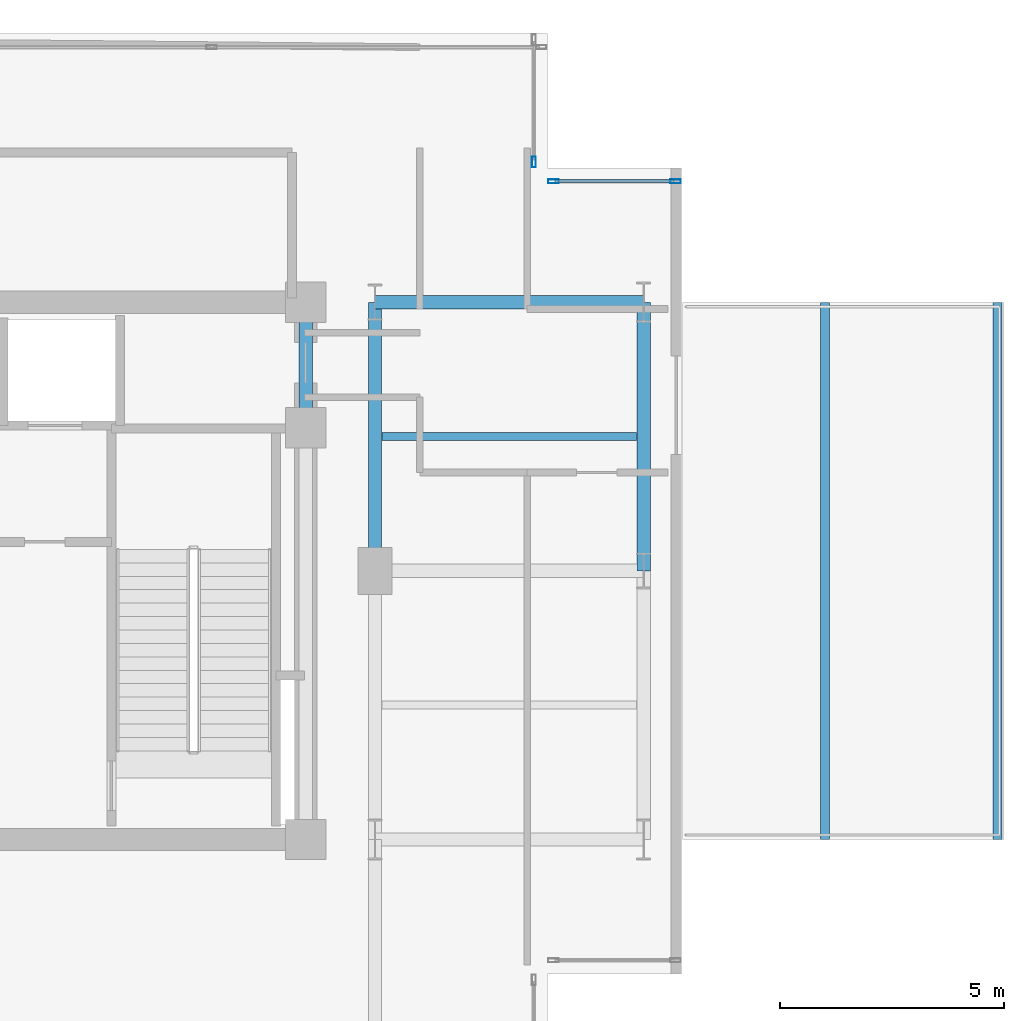
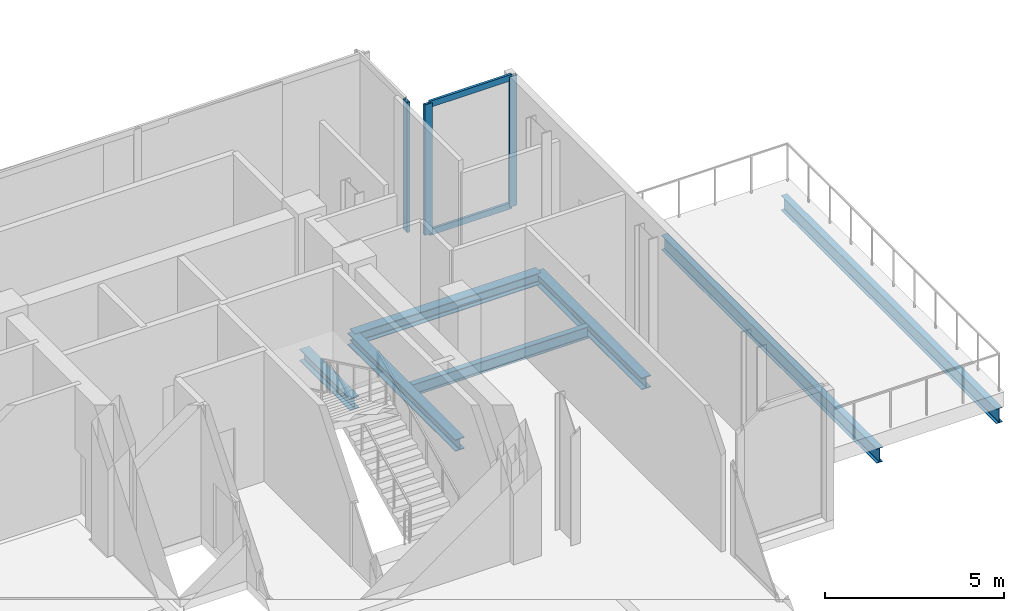
# One storey, part 9 of 19: 7 beams, 5 members, 2 elements without a shape of their own.
"""IFC4 building model written with IfcOpenShell, lengths in metres."""

from ifc_helpers import new_model, si_unit, direction, frame, origin, origin_2d, place, context, subcontext, project, spatial, hollow_rectangle, i_section, extrude, material, layer, layer_set, material_profile, profile_set, type_object, element, aggregate, save


model = new_model("IFC4")

# Units and contexts
model_context = context("Model", 3, precision=1e-05, world=origin(), true_north=direction((0.0, 1.0)))
body_context = subcontext(model_context, "Body", "Model", "MODEL_VIEW")
ifc_project = project(units=[si_unit("LENGTHUNIT", "METRE"), si_unit("AREAUNIT", "SQUARE_METRE"), si_unit("VOLUMEUNIT", "CUBIC_METRE"), si_unit("PLANEANGLEUNIT", "RADIAN"), si_unit("MASSUNIT", "GRAM", prefix="KILO"), si_unit("THERMODYNAMICTEMPERATUREUNIT", "KELVIN"), si_unit("POWERUNIT", "WATT")], contexts=[model_context])

# Site, building, storey
site_placement = place(None, origin())
site = spatial("IfcSite", under=ifc_project, at=site_placement, CompositionType="ELEMENT")
building_placement = place(site_placement, origin())
building = spatial("IfcBuilding", under=site, at=building_placement, Name="Svarakhadi Broadcast Tower", CompositionType="ELEMENT")
storey_placement = place(building_placement, frame((0.0, 0.0, 204.0)))
storey = spatial("IfcBuildingStorey", under=building, at=storey_placement, Name="L50", CompositionType="ELEMENT", Elevation=204.0)

# Beams
ifc_material_1 = material(Name="Steel S355J2 (IS 2062 E350C)", Category="steel")
ifc_material_profile_1 = material_profile(ifc_material_1, i_section(OverallWidth=0.179931640625, OverallDepth=0.39990234375, WebThickness=0.008544921875, FlangeThickness=0.013427734375, FilletRadius=0.02099609375, at=origin_2d()), Name="NPB 400x180x66")
ifc_profile_set_1 = profile_set([ifc_material_profile_1], Name="Steel S355J2 (IS 2062 E350C)")
beam_type_1 = type_object("IfcBeamType", Name="Beam_NPB400", PredefinedType="BEAM", material=ifc_profile_set_1)
beam_1_placement = place(storey_placement, frame((35.31005859375, 15.0, -0.5), z_axis=(1.0, 0.0, 0.0), x_axis=(0.0, 1.0, 0.0)))
element("IfcBeam", 1, at=beam_1_placement, inside=storey, type_object=beam_type_1, Name="L50 Secondary Composite Beam SB017", PredefinedType="BEAM", context=body_context, shape_type="SweptSolid", body=[
    extrude(i_section(OverallWidth=0.179931640625, OverallDepth=0.39990234375, WebThickness=0.008544921875, FlangeThickness=0.013427734375, FilletRadius=0.02099609375, at=origin_2d()), origin(), (0.0, 0.0, 1.0), 5.679931640625),
])
ifc_material_profile_2 = material_profile(ifc_material_1, i_section(OverallWidth=0.199951171875, OverallDepth=0.5, WebThickness=0.01025390625, FlangeThickness=0.01611328125, FilletRadius=0.02099609375, at=origin_2d()), Name="NPB 500x200x91")
ifc_profile_set_2 = profile_set([ifc_material_profile_2], Name="Steel S355J2 (IS 2062 E350C)")
beam_type_2 = type_object("IfcBeamType", Name="Beam_NPB500", PredefinedType="BEAM", material=ifc_profile_set_2)
for number, where, z_axis, x_axis, name in (
    (2, (45.199951171875, 6.0, -0.75), (0.0, 1.0, 0.0), (-1.0, 0.0, 0.0), "L50 Sky Pool Transverse Trimmer Beam 1"),
    (3, (49.050048828125, 6.0, -0.75), (0.0, 1.0, 0.0), (-1.0, 0.0, 0.0), "L50 Sky Pool Tip Transverse Edge Beam 2"),
):
    element("IfcBeam", number, at=place(storey_placement, frame(where, z_axis=z_axis, x_axis=x_axis)), inside=storey, type_object=beam_type_2, Name=name, PredefinedType="BEAM", context=body_context, shape_type="SweptSolid", body=[
        extrude(i_section(OverallWidth=0.199951171875, OverallDepth=0.5, WebThickness=0.01025390625, FlangeThickness=0.01611328125, FilletRadius=0.02099609375, at=origin_2d()), origin(), (0.0, 0.0, 1.0), 12.0),
    ])

# Curtain wall, member
ifc_material_2 = material(Name="Anodised Bronze Aluminium AA 6063-T6", Category="aluminium")
ifc_layer = layer(ifc_material_2, 0.239990234375)
ifc_layer_set = layer_set([ifc_layer], Name="Anodised Bronze Aluminium AA 6063-T6")
curtain_wall_type = type_object("IfcCurtainWallType", Name="CW_Sys_06", PredefinedType="NOTDEFINED", material=ifc_layer_set)
curtain_wall_1_placement = place(storey_placement, origin())
curtain_wall_1 = element("IfcCurtainWall", 4, at=curtain_wall_1_placement, inside=storey, type_object=curtain_wall_type, Name="L50 Unitised Facade Curtain Wall 10", PredefinedType="NOTDEFINED")
ifc_material_profile_3 = material_profile(ifc_material_2, hollow_rectangle(XDim=0.090087890625, YDim=0.239990234375, WallThickness=0.006103515625, at=origin_2d()), Name="ALU MULLION 240x90x6")
ifc_profile_set_3 = profile_set([ifc_material_profile_3], Name="Anodised Bronze Aluminium AA 6063-T6")
member_type_1 = type_object("IfcMemberType", Name="CW_Sys_06_Mul", PredefinedType="MULLION", material=ifc_profile_set_3)
member_1_placement = place(storey_placement, frame((38.699951171875, 21.135009765625, 0.0), z_axis=(0.0, 0.0, 1.0), x_axis=(1.0, 0.0, 0.0)))
member_1 = element("IfcMember", 5, at=member_1_placement, type_object=member_type_1, Name="CW-06 mullion 2", PredefinedType="MULLION", context=body_context, shape_type="SweptSolid", body=[
    extrude(hollow_rectangle(XDim=0.090087890625, YDim=0.239990234375, WallThickness=0.006103515625, at=origin_2d()), origin(), (0.0, 0.0, 1.0), 4.43994140625),
])
aggregate(curtain_wall_1, [member_1])

# Curtain wall, members
curtain_wall_2_placement = place(storey_placement, origin())
curtain_wall_2 = element("IfcCurtainWall", 6, at=curtain_wall_2_placement, inside=storey, type_object=curtain_wall_type, Name="L50 Unitised Facade Curtain Wall 11", PredefinedType="NOTDEFINED")
member_2_placement = place(storey_placement, frame((39.135009765625, 20.699951171875, 0.0), z_axis=(0.0, 0.0, 1.0), x_axis=(0.0, 1.0, 0.0)))
member_2 = element("IfcMember", 7, at=member_2_placement, type_object=member_type_1, Name="CW-06 mullion 1", PredefinedType="MULLION", context=body_context, shape_type="SweptSolid", body=[
    extrude(hollow_rectangle(XDim=0.090087890625, YDim=0.239990234375, WallThickness=0.006103515625, at=origin_2d()), origin(), (0.0, 0.0, 1.0), 4.43994140625),
])
member_3_placement = place(storey_placement, frame((41.864990234375, 20.699951171875, 0.0), z_axis=(0.0, 0.0, 1.0), x_axis=(0.0, 1.0, 0.0)))
member_3 = element("IfcMember", 8, at=member_3_placement, type_object=member_type_1, Name="CW-06 mullion 2", PredefinedType="MULLION", context=body_context, shape_type="SweptSolid", body=[
    extrude(hollow_rectangle(XDim=0.090087890625, YDim=0.239990234375, WallThickness=0.006103515625, at=origin_2d()), origin(), (0.0, 0.0, 1.0), 4.43994140625),
])
ifc_material_profile_4 = material_profile(ifc_material_2, hollow_rectangle(XDim=0.080078125, YDim=0.2099609375, WallThickness=0.0048828125, at=origin_2d()), Name="ALU TRANSOM 210x80x5")
ifc_profile_set_4 = profile_set([ifc_material_profile_4], Name="Anodised Bronze Aluminium AA 6063-T6")
member_type_2 = type_object("IfcMemberType", Name="CW_Sys_06_Trn", PredefinedType="USERDEFINED", material=ifc_profile_set_4)
member_4_placement = place(storey_placement, frame((39.179931640625, 20.699951171875, 0.0400390625), z_axis=(1.0, 0.0, 0.0), x_axis=(0.0, 1.0, 0.0)))
member_4 = element("IfcMember", 9, at=member_4_placement, type_object=member_type_2, Name="CW-06 transom 1.1", ObjectType="TRANSOM", PredefinedType="USERDEFINED", context=body_context, shape_type="SweptSolid", body=[
    extrude(hollow_rectangle(XDim=0.080078125, YDim=0.2099609375, WallThickness=0.0048828125, at=origin_2d()), origin(), (0.0, 0.0, 1.0), 2.64013671875),
])
member_5_placement = place(storey_placement, frame((39.179931640625, 20.699951171875, 4.39990234375), z_axis=(1.0, 0.0, 0.0), x_axis=(0.0, 1.0, 0.0)))
member_5 = element("IfcMember", 10, at=member_5_placement, type_object=member_type_2, Name="CW-06 transom 1.2", ObjectType="TRANSOM", PredefinedType="USERDEFINED", context=body_context, shape_type="SweptSolid", body=[
    extrude(hollow_rectangle(XDim=0.080078125, YDim=0.2099609375, WallThickness=0.0048828125, at=origin_2d()), origin(), (0.0, 0.0, 1.0), 2.64013671875),
])
aggregate(curtain_wall_2, [member_2, member_3, member_4, member_5])

# Beams
ifc_material_profile_5 = material_profile(ifc_material_1, i_section(OverallWidth=0.300048828125, OverallDepth=0.39990234375, WebThickness=0.013427734375, FlangeThickness=0.02392578125, FilletRadius=0.027099609375, at=origin_2d()), Name="WPB 400x300x155")
ifc_profile_set_5 = profile_set([ifc_material_profile_5], Name="Steel S355J2 (IS 2062 E350C)")
beam_type_3 = type_object("IfcBeamType", Name="Girder_WPB400", PredefinedType="USERDEFINED", material=ifc_profile_set_5)
beam_2_placement = place(storey_placement, frame((35.14990234375, 18.0, -0.5), z_axis=(1.0, 0.0, 0.0), x_axis=(0.0, 1.0, 0.0)))
element("IfcBeam", 11, at=beam_2_placement, inside=storey, type_object=beam_type_3, Name="L50 Primary E-W Girder G025", ObjectType="GIRDER", PredefinedType="USERDEFINED", context=body_context, shape_type="SweptSolid", body=[
    extrude(i_section(OverallWidth=0.300048828125, OverallDepth=0.39990234375, WebThickness=0.013427734375, FlangeThickness=0.02392578125, FilletRadius=0.027099609375, at=origin_2d()), origin(), (0.0, 0.0, 1.0), 6.0),
])
beam_3_placement = place(storey_placement, frame((33.60009765625, 15.199951171875, -0.5), z_axis=(0.0, 1.0, 0.0), x_axis=(-1.0, 0.0, 0.0)))
element("IfcBeam", 12, at=beam_3_placement, inside=storey, type_object=beam_type_3, Name="L50 Primary N-S Girder G055", ObjectType="GIRDER", PredefinedType="USERDEFINED", context=body_context, shape_type="SweptSolid", body=[
    extrude(i_section(OverallWidth=0.300048828125, OverallDepth=0.39990234375, WebThickness=0.013427734375, FlangeThickness=0.02392578125, FilletRadius=0.027099609375, at=origin_2d()), origin(), (0.0, 0.0, 1.0), 2.800048828125),
])
for number, where, z_axis, x_axis, name in (
    (13, (35.14990234375, 12.0, -0.5), (0.0, 1.0, 0.0), (-1.0, 0.0, 0.0), "L50 Primary N-S Girder G058"),
    (14, (41.14990234375, 12.0, -0.5), (0.0, 1.0, 0.0), (-1.0, 0.0, 0.0), "L50 Primary N-S Girder G060"),
):
    element("IfcBeam", number, at=place(storey_placement, frame(where, z_axis=z_axis, x_axis=x_axis)), inside=storey, type_object=beam_type_3, Name=name, ObjectType="GIRDER", PredefinedType="USERDEFINED", context=body_context, shape_type="SweptSolid", body=[
        extrude(i_section(OverallWidth=0.300048828125, OverallDepth=0.39990234375, WebThickness=0.013427734375, FlangeThickness=0.02392578125, FilletRadius=0.027099609375, at=origin_2d()), origin(), (0.0, 0.0, 1.0), 6.0),
    ])

save(model, "model.ifc")
